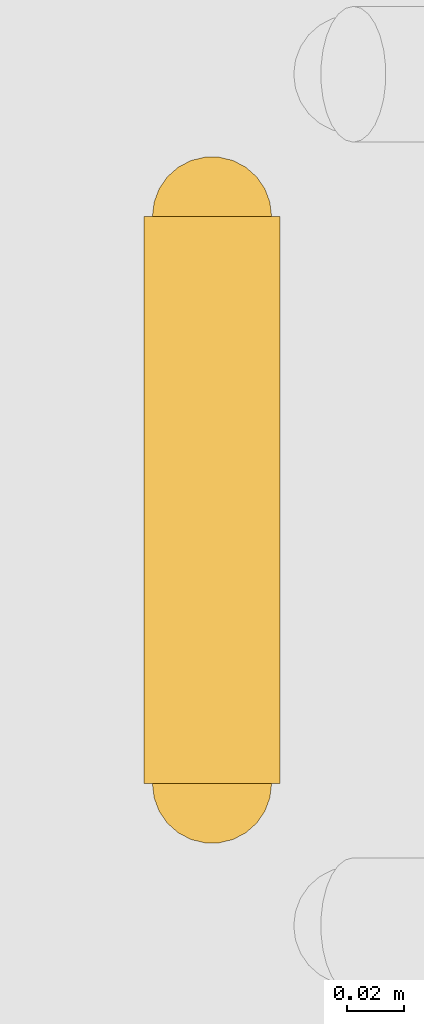
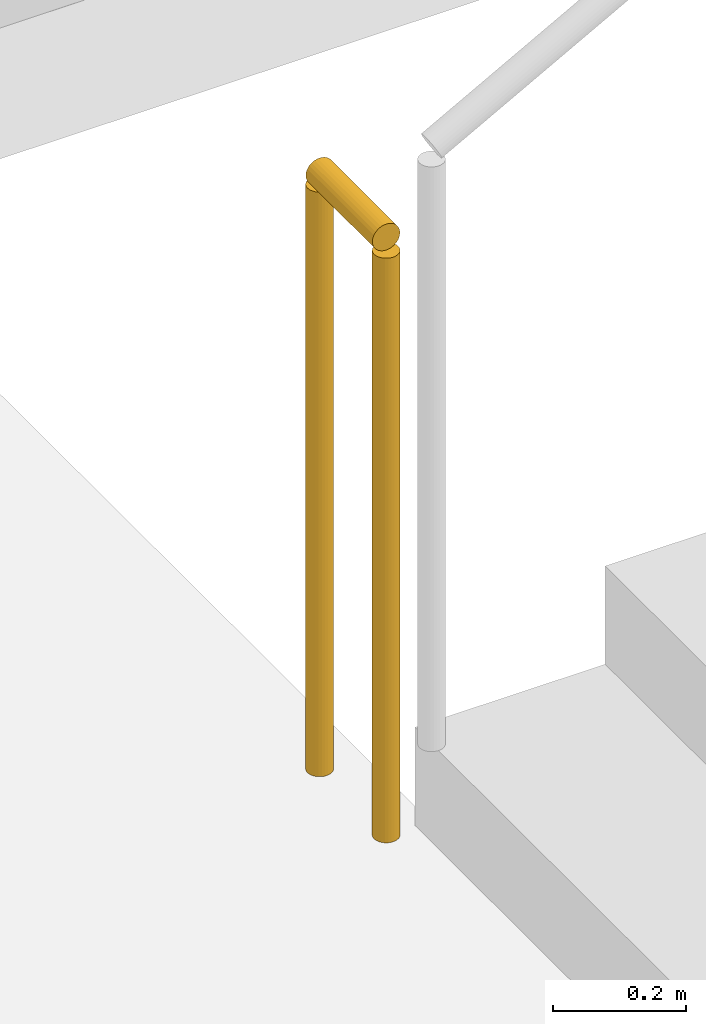
# One storey, part 74 of 84: 1 railing.
"""IFC4 building model written with IfcOpenShell, lengths in metres."""

from ifc_helpers import new_model, si_unit, direction, frame, origin, origin_2d, place, context, subcontext, project, spatial, circle, extrude, material, type_object, element, save


model = new_model("IFC4")

# Units and contexts
model_context = context("Model", 3, precision=1e-05, world=origin(), true_north=direction((0.0, 1.0)))
body_context = subcontext(model_context, "Body", "Model", "MODEL_VIEW")
ifc_project = project(units=[si_unit("LENGTHUNIT", "METRE"), si_unit("AREAUNIT", "SQUARE_METRE"), si_unit("VOLUMEUNIT", "CUBIC_METRE"), si_unit("PLANEANGLEUNIT", "RADIAN"), si_unit("MASSUNIT", "GRAM", prefix="KILO")], contexts=[model_context])

# Site, building, storey
site_placement = place(None, origin())
site = spatial("IfcSite", under=ifc_project, at=site_placement, CompositionType="ELEMENT")
building_placement = place(site_placement, origin())
building = spatial("IfcBuilding", under=site, at=building_placement, Name="Kimbaza Rail Terminus", CompositionType="ELEMENT")
storey_placement = place(building_placement, frame((0.0, 0.0, 5.39990234375)))
storey = spatial("IfcBuildingStorey", under=building, at=storey_placement, Name="L01", CompositionType="ELEMENT", Elevation=5.39990234375)

# Railing
ifc_material = material(Name="Painted tubular steel stair well guard", Category="steel")
railing_type = type_object("IfcRailingType", Name="ARC-RL-STGRD", PredefinedType="GUARDRAIL", material=ifc_material)
railing_placement = place(storey_placement, frame((109.8701171875, 107.320068359375, 0.0)))
element("IfcRailing", 1, at=railing_placement, inside=storey, type_object=railing_type, Name="L01 ST-M1 stair guard 4", PredefinedType="GUARDRAIL", context=body_context, shape_type="SweptSolid", body=[
    extrude(circle(Radius=0.02392578125, at=origin_2d()), frame((0.0, 0.0, 1.09619140625), z_axis=(0.0, 1.0, 0.0), x_axis=(-1.0, 0.0, 0.0)), (0.0, 0.0, 1.0), 0.199951171875),
    extrude(circle(Radius=0.02099609375, at=origin_2d()), origin(), (0.0, 0.0, 1.0), 1.072021484375),
    extrude(circle(Radius=0.02099609375, at=origin_2d()), frame((0.0, 0.199951171875, 0.0)), (0.0, 0.0, 1.0), 1.072021484375),
])

save(model, "model.ifc")
